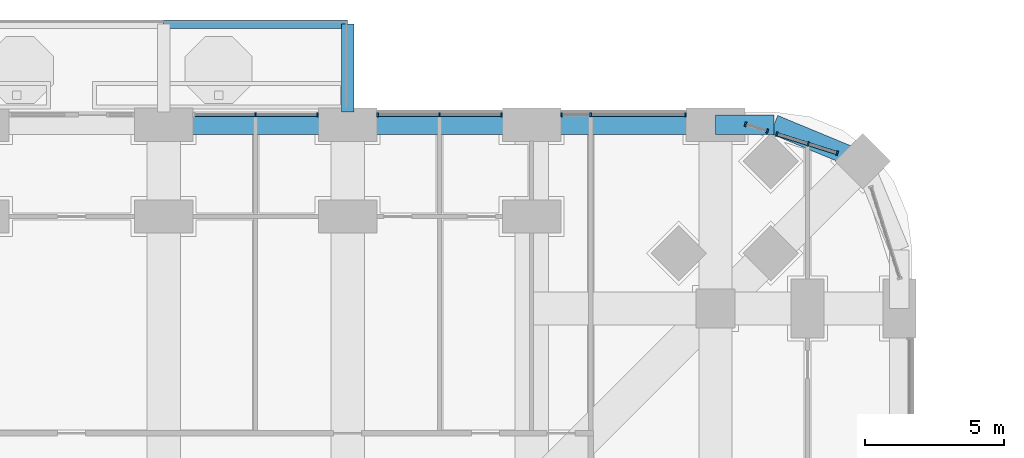
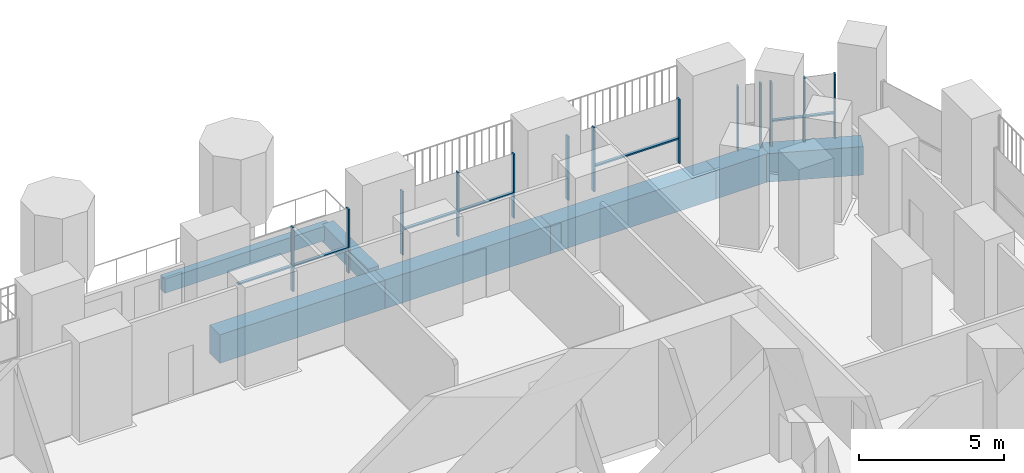
# One storey, part 9 of 26: 20 members, 7 beams, 5 elements without a shape of their own.
"""IFC4 building model written with IfcOpenShell, lengths in metres."""

from ifc_helpers import new_model, si_unit, direction, frame, origin, origin_2d, place, context, subcontext, project, spatial, rectangle, extrude, material, material_profile, profile_set, type_object, element, aggregate, save


model = new_model("IFC4")

# Units and contexts
model_context = context("Model", 3, precision=1e-05, world=origin(), true_north=direction((0.0, 1.0)))
body_context = subcontext(model_context, "Body", "Model", "MODEL_VIEW")
ifc_project = project(units=[si_unit("LENGTHUNIT", "METRE"), si_unit("AREAUNIT", "SQUARE_METRE"), si_unit("VOLUMEUNIT", "CUBIC_METRE"), si_unit("PLANEANGLEUNIT", "RADIAN"), si_unit("MASSUNIT", "GRAM", prefix="KILO")], contexts=[model_context])

# Site, building, storey
site_placement = place(None, origin())
site = spatial("IfcSite", under=ifc_project, at=site_placement, CompositionType="ELEMENT")
building_placement = place(site_placement, origin())
building = spatial("IfcBuilding", under=site, at=building_placement, Name="Cobogo Forest Laboratory Tower", CompositionType="ELEMENT")
storey_placement = place(building_placement, frame((0.0, 0.0, 50.699951171875)))
storey = spatial("IfcBuildingStorey", under=building, at=storey_placement, Name="L11", CompositionType="ELEMENT", Elevation=50.699951171875)

# Beams
ifc_material_1 = material(Name="Concrete HA-40 (C40/50)", Category="concrete")
ifc_material_profile_1 = material_profile(ifc_material_1, rectangle(XDim=0.449951171875, YDim=0.75, at=origin_2d()), Name="RC 450x750")
ifc_profile_set_1 = profile_set([ifc_material_profile_1], Name="Concrete HA-40 (C40/50)")
beam_type_1 = type_object("IfcBeamType", Name="Balcony cantilever beam 450x750", PredefinedType="BEAM", material=ifc_profile_set_1)
beam_1_placement = place(storey_placement, frame((33.0, 46.64990234375, -0.625), z_axis=(0.0, 1.0, 0.0), x_axis=(-1.0, 0.0, 0.0)))
element("IfcBeam", 1, at=beam_1_placement, inside=storey, type_object=beam_type_1, Name="CB1 BAL-N1-C3 L11", PredefinedType="BEAM", context=body_context, shape_type="SweptSolid", body=[
    extrude(rectangle(XDim=0.449951171875, YDim=0.75, at=origin_2d()), origin(), (0.0, 0.0, 1.0), 3.150146484375),
])
ifc_material_profile_2 = material_profile(ifc_material_1, rectangle(XDim=0.300048828125, YDim=0.60009765625, at=origin_2d()), Name="RC 300x600")
ifc_profile_set_2 = profile_set([ifc_material_profile_2], Name="Concrete HA-40 (C40/50)")
beam_type_2 = type_object("IfcBeamType", Name="Balcony edge beam 300x600", PredefinedType="BEAM", material=ifc_profile_set_2)
beam_2_placement = place(storey_placement, frame((26.39990234375, 49.800048828125, -0.550048828125), z_axis=(1.0, 0.0, 0.0), x_axis=(0.0, 1.0, 0.0)))
element("IfcBeam", 2, at=beam_2_placement, inside=storey, type_object=beam_type_2, Name="BB1 BAL-N1-T2 L11", PredefinedType="BEAM", context=body_context, shape_type="SweptSolid", body=[
    extrude(rectangle(XDim=0.300048828125, YDim=0.60009765625, at=origin_2d()), origin(), (0.0, 0.0, 1.0), 6.60009765625),
])

# Curtain wall, members
ifc_material_2 = material(Name="Aluminium curtain wall", Category="aluminium")
curtain_wall_type = type_object("IfcCurtainWallType", Name="CW-1 unitised curtain wall, clear glazing, laboratory floors zones A and B", PredefinedType="USERDEFINED", material=ifc_material_2)
curtain_wall_1_placement = place(storey_placement, origin())
curtain_wall_1 = element("IfcCurtainWall", 3, at=curtain_wall_1_placement, inside=storey, type_object=curtain_wall_type, Name="Curtain wall 16 L11", ObjectType="UNITISED CURTAIN WALL", PredefinedType="USERDEFINED")
ifc_material_3 = material(Name="Aluminium mullion", Category="aluminium")
ifc_material_profile_3 = material_profile(ifc_material_3, rectangle(XDim=0.06005859375, YDim=0.159912109375, at=origin_2d()), Name="AL 60x160")
ifc_profile_set_3 = profile_set([ifc_material_profile_3], Name="Aluminium mullion")
member_type_1 = type_object("IfcMemberType", Name="MU-1 aluminium mullion 60x160", PredefinedType="MULLION", material=ifc_profile_set_3)
member_1_placement = place(storey_placement, frame((50.561279296875, 45.1728515625, 0.0), z_axis=(0.0, 0.0, 1.0), x_axis=(-0.953581409645, 0.301135343623, 0.0)))
member_1 = element("IfcMember", 4, at=member_1_placement, type_object=member_type_1, Name="CW-1 mullion 1", PredefinedType="MULLION", context=body_context, shape_type="SweptSolid", body=[
    extrude(rectangle(XDim=0.06005859375, YDim=0.159912109375, at=origin_2d()), origin(), (0.0, 0.0, 1.0), 2.699951171875),
])
member_2_placement = place(storey_placement, frame((49.524169921875, 45.500244140625, 0.0), z_axis=(0.0, 0.0, 1.0), x_axis=(-0.953581409645, 0.301135343623, 0.0)))
member_2 = element("IfcMember", 5, at=member_2_placement, type_object=member_type_1, Name="CW-1 mullion 2", PredefinedType="MULLION", context=body_context, shape_type="SweptSolid", body=[
    extrude(rectangle(XDim=0.06005859375, YDim=0.159912109375, at=origin_2d()), origin(), (0.0, 0.0, 1.0), 2.699951171875),
])
member_3_placement = place(storey_placement, frame((48.403076171875, 45.854248046875, 0.0), z_axis=(0.0, 0.0, 1.0), x_axis=(-0.953581409645, 0.301135343623, 0.0)))
member_3 = element("IfcMember", 6, at=member_3_placement, type_object=member_type_1, Name="CW-1 mullion 3", PredefinedType="MULLION", context=body_context, shape_type="SweptSolid", body=[
    extrude(rectangle(XDim=0.06005859375, YDim=0.159912109375, at=origin_2d()), origin(), (0.0, 0.0, 1.0), 2.699951171875),
])

curtain_wall_2_placement = place(storey_placement, origin())
curtain_wall_2 = element("IfcCurtainWall", 7, at=curtain_wall_2_placement, inside=storey, type_object=curtain_wall_type, Name="Curtain wall 17 L11", ObjectType="UNITISED CURTAIN WALL", PredefinedType="USERDEFINED")
member_4_placement = place(storey_placement, frame((48.05322265625, 45.96484375, 0.0), z_axis=(0.0, 0.0, 1.0), x_axis=(-0.953581504428, 0.301135043481, 0.0)))
member_4 = element("IfcMember", 8, at=member_4_placement, type_object=member_type_1, Name="CW-1 mullion 1", PredefinedType="MULLION", context=body_context, shape_type="SweptSolid", body=[
    extrude(rectangle(XDim=0.06005859375, YDim=0.159912109375, at=origin_2d()), origin(), (0.0, 0.0, 1.0), 2.699951171875),
])
member_5_placement = place(storey_placement, frame((47.278564453125, 46.20947265625, 0.0), z_axis=(0.0, 0.0, 1.0), x_axis=(-0.953581504428, 0.301135043481, 0.0)))
member_5 = element("IfcMember", 9, at=member_5_placement, type_object=member_type_1, Name="CW-1 mullion 2", PredefinedType="MULLION", context=body_context, shape_type="SweptSolid", body=[
    extrude(rectangle(XDim=0.06005859375, YDim=0.159912109375, at=origin_2d()), origin(), (0.0, 0.0, 1.0), 2.699951171875),
])
aggregate(curtain_wall_2, [member_4, member_5])

curtain_wall_3_placement = place(storey_placement, origin())
curtain_wall_3 = element("IfcCurtainWall", 10, at=curtain_wall_3_placement, inside=storey, type_object=curtain_wall_type, Name="Curtain wall 18 L11", ObjectType="UNITISED CURTAIN WALL", PredefinedType="USERDEFINED")
member_6_placement = place(storey_placement, frame((45.1201171875, 46.550048828125, 0.0), z_axis=(0.0, 0.0, 1.0), x_axis=(-1.0, 0.0, 0.0)))
member_6 = element("IfcMember", 11, at=member_6_placement, type_object=member_type_1, Name="CW-1 mullion 1", PredefinedType="MULLION", context=body_context, shape_type="SweptSolid", body=[
    extrude(rectangle(XDim=0.06005859375, YDim=0.159912109375, at=origin_2d()), origin(), (0.0, 0.0, 1.0), 2.699951171875),
])
member_7_placement = place(storey_placement, frame((41.72509765625, 46.550048828125, 0.0), z_axis=(0.0, 0.0, 1.0), x_axis=(-1.0, 0.0, 0.0)))
member_7 = element("IfcMember", 12, at=member_7_placement, type_object=member_type_1, Name="CW-1 mullion 2", PredefinedType="MULLION", context=body_context, shape_type="SweptSolid", body=[
    extrude(rectangle(XDim=0.06005859375, YDim=0.159912109375, at=origin_2d()), origin(), (0.0, 0.0, 1.0), 2.699951171875),
])
member_8_placement = place(storey_placement, frame((40.679931640625, 46.550048828125, 0.0), z_axis=(0.0, 0.0, 1.0), x_axis=(-1.0, 0.0, 0.0)))
member_8 = element("IfcMember", 13, at=member_8_placement, type_object=member_type_1, Name="CW-1 mullion 3", PredefinedType="MULLION", context=body_context, shape_type="SweptSolid", body=[
    extrude(rectangle(XDim=0.06005859375, YDim=0.159912109375, at=origin_2d()), origin(), (0.0, 0.0, 1.0), 2.699951171875),
])

curtain_wall_4_placement = place(storey_placement, origin())
curtain_wall_4 = element("IfcCurtainWall", 14, at=curtain_wall_4_placement, inside=storey, type_object=curtain_wall_type, Name="Curtain wall 19 L11", ObjectType="UNITISED CURTAIN WALL", PredefinedType="USERDEFINED")
member_9_placement = place(storey_placement, frame((38.52001953125, 46.550048828125, 0.0), z_axis=(0.0, 0.0, 1.0), x_axis=(-1.0, 0.0, 0.0)))
member_9 = element("IfcMember", 15, at=member_9_placement, type_object=member_type_1, Name="CW-1 mullion 1", PredefinedType="MULLION", context=body_context, shape_type="SweptSolid", body=[
    extrude(rectangle(XDim=0.06005859375, YDim=0.159912109375, at=origin_2d()), origin(), (0.0, 0.0, 1.0), 2.699951171875),
])
member_10_placement = place(storey_placement, frame((36.300048828125, 46.550048828125, 0.0), z_axis=(0.0, 0.0, 1.0), x_axis=(-1.0, 0.0, 0.0)))
member_10 = element("IfcMember", 16, at=member_10_placement, type_object=member_type_1, Name="CW-1 mullion 2", PredefinedType="MULLION", context=body_context, shape_type="SweptSolid", body=[
    extrude(rectangle(XDim=0.06005859375, YDim=0.159912109375, at=origin_2d()), origin(), (0.0, 0.0, 1.0), 2.699951171875),
])
member_11_placement = place(storey_placement, frame((34.080078125, 46.550048828125, 0.0), z_axis=(0.0, 0.0, 1.0), x_axis=(-1.0, 0.0, 0.0)))
member_11 = element("IfcMember", 17, at=member_11_placement, type_object=member_type_1, Name="CW-1 mullion 3", PredefinedType="MULLION", context=body_context, shape_type="SweptSolid", body=[
    extrude(rectangle(XDim=0.06005859375, YDim=0.159912109375, at=origin_2d()), origin(), (0.0, 0.0, 1.0), 2.699951171875),
])

curtain_wall_5_placement = place(storey_placement, origin())
curtain_wall_5 = element("IfcCurtainWall", 18, at=curtain_wall_5_placement, inside=storey, type_object=curtain_wall_type, Name="Curtain wall 20 L11", ObjectType="UNITISED CURTAIN WALL", PredefinedType="USERDEFINED")
member_12_placement = place(storey_placement, frame((31.919921875, 46.550048828125, 0.0), z_axis=(0.0, 0.0, 1.0), x_axis=(-1.0, 0.0, 0.0)))
member_12 = element("IfcMember", 19, at=member_12_placement, type_object=member_type_1, Name="CW-1 mullion 1", PredefinedType="MULLION", context=body_context, shape_type="SweptSolid", body=[
    extrude(rectangle(XDim=0.06005859375, YDim=0.159912109375, at=origin_2d()), origin(), (0.0, 0.0, 1.0), 2.699951171875),
])
member_13_placement = place(storey_placement, frame((29.699951171875, 46.550048828125, 0.0), z_axis=(0.0, 0.0, 1.0), x_axis=(-1.0, 0.0, 0.0)))
member_13 = element("IfcMember", 20, at=member_13_placement, type_object=member_type_1, Name="CW-1 mullion 2", PredefinedType="MULLION", context=body_context, shape_type="SweptSolid", body=[
    extrude(rectangle(XDim=0.06005859375, YDim=0.159912109375, at=origin_2d()), origin(), (0.0, 0.0, 1.0), 2.699951171875),
])

# Beams
ifc_material_profile_4 = material_profile(ifc_material_1, rectangle(XDim=0.699951171875, YDim=1.199951171875, at=origin_2d()), Name="RC 700x1200")
ifc_profile_set_4 = profile_set([ifc_material_profile_4], Name="Concrete HA-40 (C40/50)")
beam_type_3 = type_object("IfcBeamType", Name="Perimeter edge beam 700x1200", PredefinedType="BEAM", material=ifc_profile_set_4)
for number, where, z_axis, x_axis, name in (
    (21, (26.39990234375, 46.199951171875, -0.89990234375), (1.0, 0.0, 0.0), (0.0, 1.0, 0.0), "EB1 E-N4 L11"),
    (22, (33.0, 46.199951171875, -0.89990234375), (1.0, 0.0, 0.0), (0.0, 1.0, 0.0), "EB1 E-N5 L11"),
):
    element("IfcBeam", number, at=place(storey_placement, frame(where, z_axis=z_axis, x_axis=x_axis)), inside=storey, type_object=beam_type_3, Name=name, PredefinedType="BEAM", context=body_context, shape_type="SweptSolid", body=[
        extrude(rectangle(XDim=0.699951171875, YDim=1.199951171875, at=origin_2d()), origin(), (0.0, 0.0, 1.0), 6.60009765625),
    ])
beam_3_placement = place(storey_placement, frame((39.60009765625, 46.199951171875, -0.89990234375), z_axis=(1.0, 0.0, 0.0), x_axis=(0.0, 1.0, 0.0)))
element("IfcBeam", 23, at=beam_3_placement, inside=storey, type_object=beam_type_3, Name="EB1 E-N6 L11", PredefinedType="BEAM", context=body_context, shape_type="SweptSolid", body=[
    extrude(rectangle(XDim=0.699951171875, YDim=1.199951171875, at=origin_2d()), origin(), (0.0, 0.0, 1.0), 6.599853515625),
])
beam_4_placement = place(storey_placement, frame((46.199951171875, 46.199951171875, -0.89990234375), z_axis=(1.0, 0.0, 0.0), x_axis=(0.0, 1.0, 0.0)))
element("IfcBeam", 24, at=beam_4_placement, inside=storey, type_object=beam_type_3, Name="EB1 E-NEN1 L11", PredefinedType="BEAM", context=body_context, shape_type="SweptSolid", body=[
    extrude(rectangle(XDim=0.699951171875, YDim=1.199951171875, at=origin_2d()), origin(), (0.0, 0.0, 1.0), 2.10009765625),
])
beam_5_placement = place(storey_placement, frame((48.300048828125, 46.199951171875, -0.89990234375), z_axis=(0.923890694089, -0.382656484822, 0.0), x_axis=(0.382656484822, 0.923890694089, 0.0)))
element("IfcBeam", 25, at=beam_5_placement, inside=storey, type_object=beam_type_3, Name="EB1 E-NEN2 L11", PredefinedType="BEAM", context=body_context, shape_type="SweptSolid", body=[
    extrude(rectangle(XDim=0.699951171875, YDim=1.199951171875, at=origin_2d()), origin(), (0.0, 0.0, 1.0), 3.444091796875),
])

# Member
ifc_material_4 = material(Name="Aluminium transom", Category="aluminium")
ifc_material_profile_5 = material_profile(ifc_material_4, rectangle(XDim=0.1201171875, YDim=0.06005859375, at=origin_2d()), Name="AL 60x120")
ifc_profile_set_5 = profile_set([ifc_material_profile_5], Name="Aluminium transom")
member_type_2 = type_object("IfcMemberType", Name="TR-1 aluminium transom 60x120", PredefinedType="USERDEFINED", material=ifc_profile_set_5)
member_14_placement = place(storey_placement, frame((50.53271484375, 45.181884765625, 1.050048828125), z_axis=(-0.953622152866, 0.301006294888, 0.0), x_axis=(-0.301006294888, -0.953622152866, 0.0)))
member_14 = element("IfcMember", 26, at=member_14_placement, type_object=member_type_2, Name="CW-1 transom 1.1", ObjectType="TRANSOM", PredefinedType="USERDEFINED", context=body_context, shape_type="SweptSolid", body=[
    extrude(rectangle(XDim=0.1201171875, YDim=0.06005859375, at=origin_2d()), origin(), (0.0, 0.0, 1.0), 1.027587890625),
])

member_15_placement = place(storey_placement, frame((49.495361328125, 45.50927734375, 1.050048828125), z_axis=(-0.953576049467, 0.301152316747, 0.0), x_axis=(-0.301152316747, -0.953576049467, 0.0)))
member_15 = element("IfcMember", 27, at=member_15_placement, type_object=member_type_2, Name="CW-1 transom 2.1", ObjectType="TRANSOM", PredefinedType="USERDEFINED", context=body_context, shape_type="SweptSolid", body=[
    extrude(rectangle(XDim=0.1201171875, YDim=0.06005859375, at=origin_2d()), origin(), (0.0, 0.0, 1.0), 1.115478515625),
])

aggregate(curtain_wall_1, [member_1, member_2, member_3, member_14, member_15])

member_16_placement = place(storey_placement, frame((45.090087890625, 46.550048828125, 1.050048828125), z_axis=(-1.0, 0.0, 0.0), x_axis=(0.0, -1.0, 0.0)))
member_16 = element("IfcMember", 28, at=member_16_placement, type_object=member_type_2, Name="CW-1 transom 1.1", ObjectType="TRANSOM", PredefinedType="USERDEFINED", context=body_context, shape_type="SweptSolid", body=[
    extrude(rectangle(XDim=0.1201171875, YDim=0.06005859375, at=origin_2d()), origin(), (0.0, 0.0, 1.0), 3.335205078125),
])

aggregate(curtain_wall_3, [member_6, member_7, member_8, member_16])

member_17_placement = place(storey_placement, frame((38.489990234375, 46.550048828125, 1.050048828125), z_axis=(-1.0, 0.0, 0.0), x_axis=(0.0, -1.0, 0.0)))
member_17 = element("IfcMember", 29, at=member_17_placement, type_object=member_type_2, Name="CW-1 transom 1.1", ObjectType="TRANSOM", PredefinedType="USERDEFINED", context=body_context, shape_type="SweptSolid", body=[
    extrude(rectangle(XDim=0.1201171875, YDim=0.06005859375, at=origin_2d()), origin(), (0.0, 0.0, 1.0), 2.159912109375),
])

member_18_placement = place(storey_placement, frame((36.27001953125, 46.550048828125, 1.050048828125), z_axis=(-1.0, 0.0, 0.0), x_axis=(0.0, -1.0, 0.0)))
member_18 = element("IfcMember", 30, at=member_18_placement, type_object=member_type_2, Name="CW-1 transom 2.1", ObjectType="TRANSOM", PredefinedType="USERDEFINED", context=body_context, shape_type="SweptSolid", body=[
    extrude(rectangle(XDim=0.1201171875, YDim=0.06005859375, at=origin_2d()), origin(), (0.0, 0.0, 1.0), 2.159912109375),
])

aggregate(curtain_wall_4, [member_9, member_10, member_11, member_17, member_18])

member_19_placement = place(storey_placement, frame((31.889892578125, 46.550048828125, 1.050048828125), z_axis=(-1.0, 0.0, 0.0), x_axis=(0.0, -1.0, 0.0)))
member_19 = element("IfcMember", 31, at=member_19_placement, type_object=member_type_2, Name="CW-1 transom 1.1", ObjectType="TRANSOM", PredefinedType="USERDEFINED", context=body_context, shape_type="SweptSolid", body=[
    extrude(rectangle(XDim=0.1201171875, YDim=0.06005859375, at=origin_2d()), origin(), (0.0, 0.0, 1.0), 2.159912109375),
])

member_20_placement = place(storey_placement, frame((29.669921875, 46.550048828125, 1.050048828125), z_axis=(-1.0, 0.0, 0.0), x_axis=(0.0, -1.0, 0.0)))
member_20 = element("IfcMember", 32, at=member_20_placement, type_object=member_type_2, Name="CW-1 transom 2.1", ObjectType="TRANSOM", PredefinedType="USERDEFINED", context=body_context, shape_type="SweptSolid", body=[
    extrude(rectangle(XDim=0.1201171875, YDim=0.06005859375, at=origin_2d()), origin(), (0.0, 0.0, 1.0), 2.159912109375),
])

aggregate(curtain_wall_5, [member_12, member_13, member_19, member_20])

save(model, "model.ifc")
